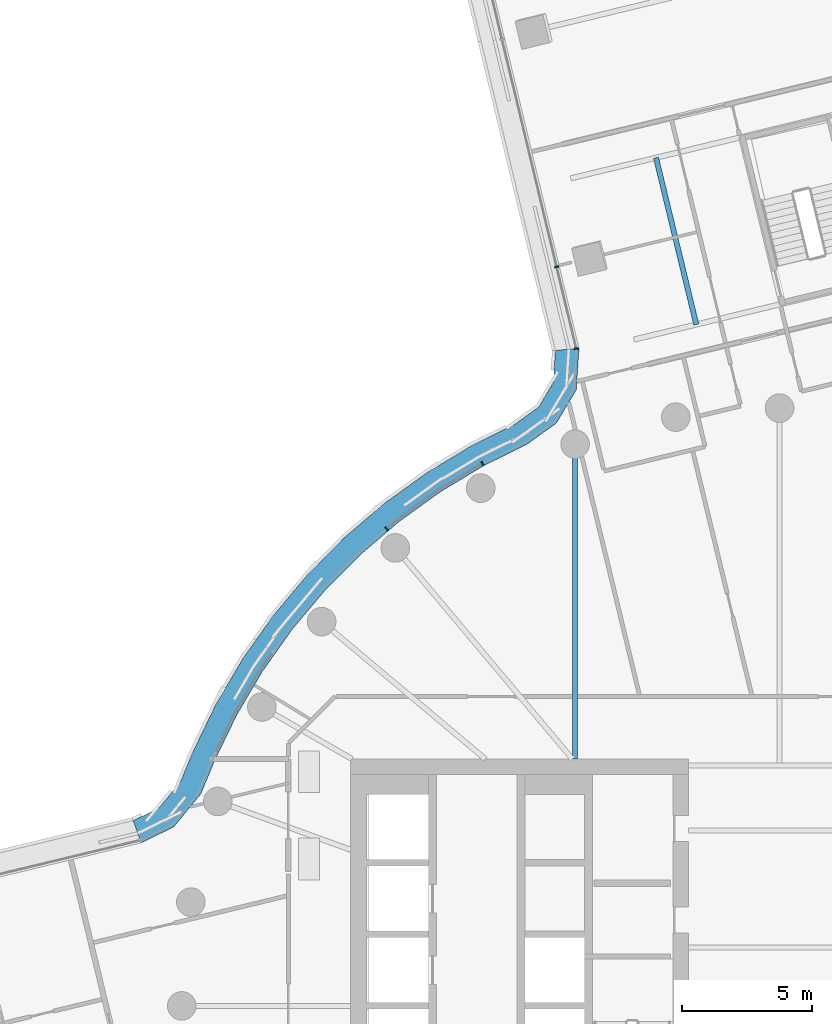
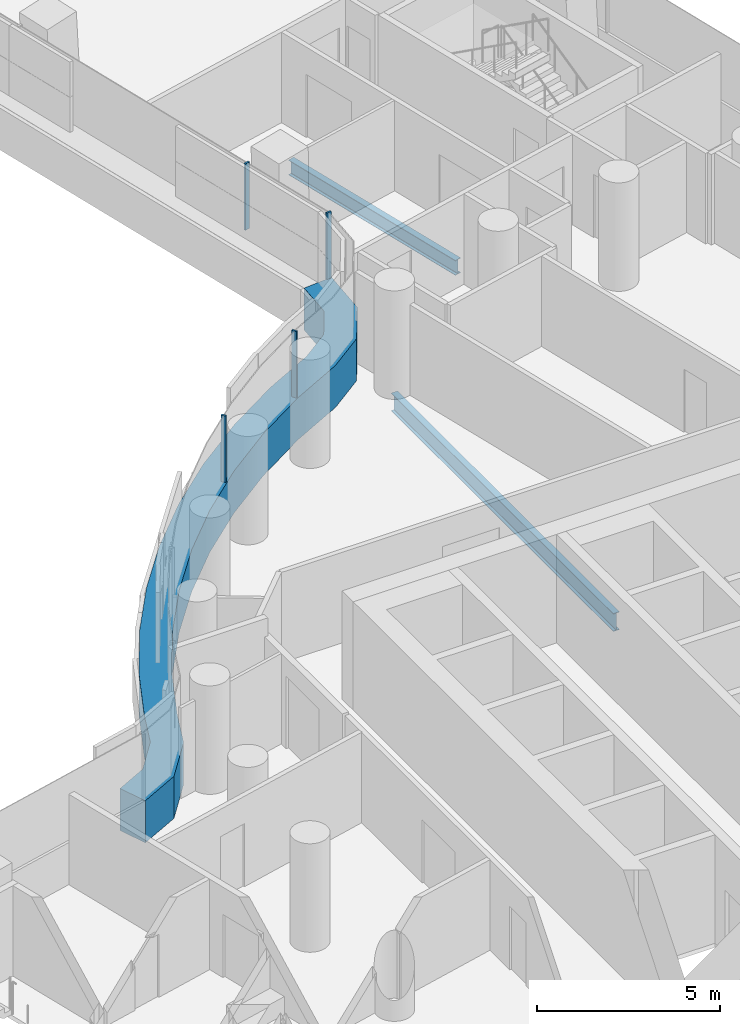
# One storey, part 13 of 33: 5 members, 2 beams, 2 elements without a shape of their own.
"""IFC4 building model written with IfcOpenShell, lengths in metres."""

from ifc_helpers import new_model, si_unit, direction, frame, origin, origin_2d, place, context, subcontext, project, spatial, polyline, rectangle, i_section, outline, extrude, material, layer, layer_set, material_profile, profile_set, type_object, element, aggregate, save


model = new_model("IFC4")

# Units and contexts
model_context = context("Model", 3, precision=1e-05, world=origin(), true_north=direction((0.0, 1.0)))
body_context = subcontext(model_context, "Body", "Model", "MODEL_VIEW")
ifc_project = project(units=[si_unit("LENGTHUNIT", "METRE"), si_unit("AREAUNIT", "SQUARE_METRE"), si_unit("VOLUMEUNIT", "CUBIC_METRE"), si_unit("PLANEANGLEUNIT", "RADIAN"), si_unit("MASSUNIT", "GRAM", prefix="KILO")], contexts=[model_context])

# Site, building, storey
site_placement = place(None, origin())
site = spatial("IfcSite", under=ifc_project, at=site_placement, CompositionType="ELEMENT")
building_placement = place(site_placement, origin())
building = spatial("IfcBuilding", under=site, at=building_placement, Name="Tamarind Cross Interchange Tower", CompositionType="ELEMENT")
storey_placement = place(building_placement, frame((0.0, 0.0, 83.5)))
storey = spatial("IfcBuildingStorey", under=building, at=storey_placement, Name="L19", CompositionType="ELEMENT", Elevation=83.5)

# Beams
ifc_material_1 = material(Name="Steel Q355B", Category="steel")
ifc_material_profile_1 = material_profile(ifc_material_1, i_section(OverallWidth=0.198974609375, OverallDepth=0.49609375, WebThickness=0.009033203125, FlangeThickness=0.013916015625, FilletRadius=0.012939453125, at=origin_2d()), Name="HN 496x199x9x14")
ifc_profile_set_1 = profile_set([ifc_material_profile_1], Name="Steel Q355B")
beam_type_1 = type_object("IfcBeamType", Name="Composite beam HN 496x199x9x14 Q355B", PredefinedType="BEAM", material=ifc_profile_set_1)
beam_1_placement = place(storey_placement, frame((-3.20458984375, 26.21533203125, -0.387939453125), z_axis=(-0.234859900002, 0.972029231747, 0.0), x_axis=(-0.972029231747, -0.234859900002, 0.0)))
element("IfcBeam", 1, at=beam_1_placement, inside=storey, type_object=beam_type_1, Name="Beam N-stripp", PredefinedType="BEAM", context=body_context, shape_type="SweptSolid", body=[
    extrude(i_section(OverallWidth=0.198974609375, OverallDepth=0.49609375, WebThickness=0.009033203125, FlangeThickness=0.013916015625, FilletRadius=0.012939453125, at=origin_2d()), origin(), (0.0, 0.0, 1.0), 6.599853515625),
])
ifc_material_profile_2 = material_profile(ifc_material_1, i_section(OverallWidth=0.198974609375, OverallDepth=0.595947265625, WebThickness=0.010009765625, FlangeThickness=0.014892578125, FilletRadius=0.012939453125, at=origin_2d()), Name="HN 596x199x10x15")
ifc_profile_set_2 = profile_set([ifc_material_profile_2], Name="Steel Q355B")
beam_type_2 = type_object("IfcBeamType", Name="Composite beam HN 596x199x10x15 Q355B", PredefinedType="BEAM", material=ifc_profile_set_2)
beam_2_placement = place(storey_placement, frame((-7.866455078125, 21.613037109375, -0.43798828125), z_axis=(0.0, -1.0, 0.0), x_axis=(1.0, 0.0, 0.0)))
element("IfcBeam", 2, at=beam_2_placement, inside=storey, type_object=beam_type_2, Name="Beam HH11", PredefinedType="BEAM", context=body_context, shape_type="SweptSolid", body=[
    extrude(i_section(OverallWidth=0.198974609375, OverallDepth=0.595947265625, WebThickness=0.010009765625, FlangeThickness=0.014892578125, FilletRadius=0.012939453125, at=origin_2d()), origin(), (0.0, 0.0, 1.0), 12.113037109375),
])

# Curtain wall, member
ifc_material_2 = material(Name="Aluminium 6063-T6", Category="aluminium")
ifc_layer_1 = layer(ifc_material_2, 0.14990234375)
ifc_layer_set_1 = layer_set([ifc_layer_1], Name="Aluminium 6063-T6")
curtain_wall_type_1 = type_object("IfcCurtainWallType", Name="Winter garden and crown curtain wall", PredefinedType="NOTDEFINED", material=ifc_layer_set_1)
curtain_wall_1_placement = place(storey_placement, origin())
curtain_wall_1 = element("IfcCurtainWall", 3, at=curtain_wall_1_placement, inside=storey, type_object=curtain_wall_type_1, Name="CWS-L19-02", PredefinedType="NOTDEFINED")
ifc_material_3 = material(Name="Aluminium and insulated spandrel panel", Category="aluminium")
member_type_1 = type_object("IfcMemberType", Name="Floor-edge blade transom", PredefinedType="USERDEFINED", material=ifc_material_3)
member_1_placement = place(storey_placement, origin())
member_1 = element("IfcMember", 4, at=member_1_placement, type_object=member_type_1, Name="CWT-L19-02", ObjectType="TRANSOM", PredefinedType="USERDEFINED", context=body_context, shape_type="SweptSolid", body=[
    extrude(outline(polyline([(-7.717041015625, 25.29736328125), (-7.82275390625, 23.705322265625), (-8.587890625, 22.420166015625), (-9.72216796875, 21.60498046875), (-11.367431640625, 20.791015625), (-13.045654296875, 19.78125), (-14.634521484375, 18.636474609375), (-16.12353515625, 17.3642578125), (-17.50244140625, 15.973388671875), (-18.76171875, 14.4736328125), (-19.892822265625, 12.874755859375), (-20.88818359375, 11.188232421875), (-21.742431640625, 9.42138671875), (-22.267333984375, 8.156982421875), (-23.303466796875, 6.890625), (-24.56298828125, 6.2734375), (-24.870361328125, 7.125244140625), (-23.875732421875, 7.612548828125), (-23.0478515625, 8.624267578125), (-22.563720703125, 9.790283203125), (-21.68212890625, 11.613525390625), (-20.64892578125, 13.3642578125), (-19.474853515625, 15.023681640625), (-18.167724609375, 16.580810546875), (-16.736572265625, 18.0244140625), (-15.19091796875, 19.344970703125), (-13.54150390625, 20.533203125), (-11.7998046875, 21.581298828125), (-10.1875, 22.37890625), (-9.265380859375, 23.041748046875), (-8.706298828125, 23.980224609375), (-8.6240234375, 25.22021484375), (-7.717041015625, 25.29736328125)])), origin(), (0.0, 0.0, 1.0), 1.39990234375),
])

ifc_layer_2 = layer(ifc_material_2, 0.159912109375)
ifc_layer_set_2 = layer_set([ifc_layer_2], Name="Aluminium 6063-T6")
curtain_wall_type_2 = type_object("IfcCurtainWallType", Name="Office curtain wall, 9.0 m bays", PredefinedType="NOTDEFINED", material=ifc_layer_set_2)
curtain_wall_2_placement = place(storey_placement, origin())
curtain_wall_2 = element("IfcCurtainWall", 5, at=curtain_wall_2_placement, inside=storey, type_object=curtain_wall_type_2, Name="CWS-L19-01", PredefinedType="NOTDEFINED")
ifc_material_profile_3 = material_profile(ifc_material_2, rectangle(XDim=0.06005859375, YDim=0.159912109375, at=origin_2d()), Name="Mullion CW1")
ifc_profile_set_3 = profile_set([ifc_material_profile_3], Name="Aluminium 6063-T6")
member_type_2 = type_object("IfcMemberType", Name="Mullion CW1", PredefinedType="MULLION", material=ifc_profile_set_3)
member_2_placement = place(storey_placement, frame((-8.573974609375, 28.4365234375, 1.39990234375), z_axis=(0.0, 0.0, 1.0), x_axis=(0.233544182771, -0.972346190764, 0.0)))
member_2 = element("IfcMember", 6, at=member_2_placement, type_object=member_type_2, Name="CWM-L19-01-02", PredefinedType="MULLION", context=body_context, shape_type="SweptSolid", body=[
    extrude(rectangle(XDim=0.06005859375, YDim=0.159912109375, at=origin_2d()), origin(), (0.0, 0.0, 1.0), 2.210205078125),
])
aggregate(curtain_wall_2, [member_2])

# Member
ifc_material_profile_4 = material_profile(ifc_material_2, rectangle(XDim=0.06005859375, YDim=0.14990234375, at=origin_2d()), Name="Mullion CW6")
ifc_profile_set_4 = profile_set([ifc_material_profile_4], Name="Aluminium 6063-T6")
member_type_3 = type_object("IfcMemberType", Name="Mullion CW6", PredefinedType="MULLION", material=ifc_profile_set_4)
member_3_placement = place(storey_placement, frame((-7.81787109375, 25.288818359375, 1.39990234375), z_axis=(0.0, 0.0, 1.0), x_axis=(0.084647298143, -0.996410976915, 0.0)))
member_3 = element("IfcMember", 7, at=member_3_placement, type_object=member_type_3, Name="CWM-L19-02-00", PredefinedType="MULLION", context=body_context, shape_type="SweptSolid", body=[
    extrude(rectangle(XDim=0.06005859375, YDim=0.14990234375, at=origin_2d()), origin(), (0.0, 0.0, 1.0), 2.210205078125),
])

member_4_placement = place(storey_placement, frame((-11.434814453125, 20.8671875, 1.39990234375), z_axis=(0.0, 0.0, 1.0), x_axis=(-0.856843065292, -0.515577308909, 0.0)))
member_4 = element("IfcMember", 8, at=member_4_placement, type_object=member_type_3, Name="CWM-L19-02-01", PredefinedType="MULLION", context=body_context, shape_type="SweptSolid", body=[
    extrude(rectangle(XDim=0.06005859375, YDim=0.14990234375, at=origin_2d()), origin(), (0.0, 0.0, 1.0), 2.210205078125),
])

member_5_placement = place(storey_placement, frame((-15.119140625, 18.353759765625, 1.39990234375), z_axis=(0.0, 0.0, 1.0), x_axis=(-0.760295606781, -0.64957723968, 0.0)))
member_5 = element("IfcMember", 9, at=member_5_placement, type_object=member_type_3, Name="CWM-L19-02-02", PredefinedType="MULLION", context=body_context, shape_type="SweptSolid", body=[
    extrude(rectangle(XDim=0.06005859375, YDim=0.14990234375, at=origin_2d()), origin(), (0.0, 0.0, 1.0), 2.210205078125),
])

aggregate(curtain_wall_1, [member_3, member_4, member_5, member_1])

save(model, "model.ifc")
